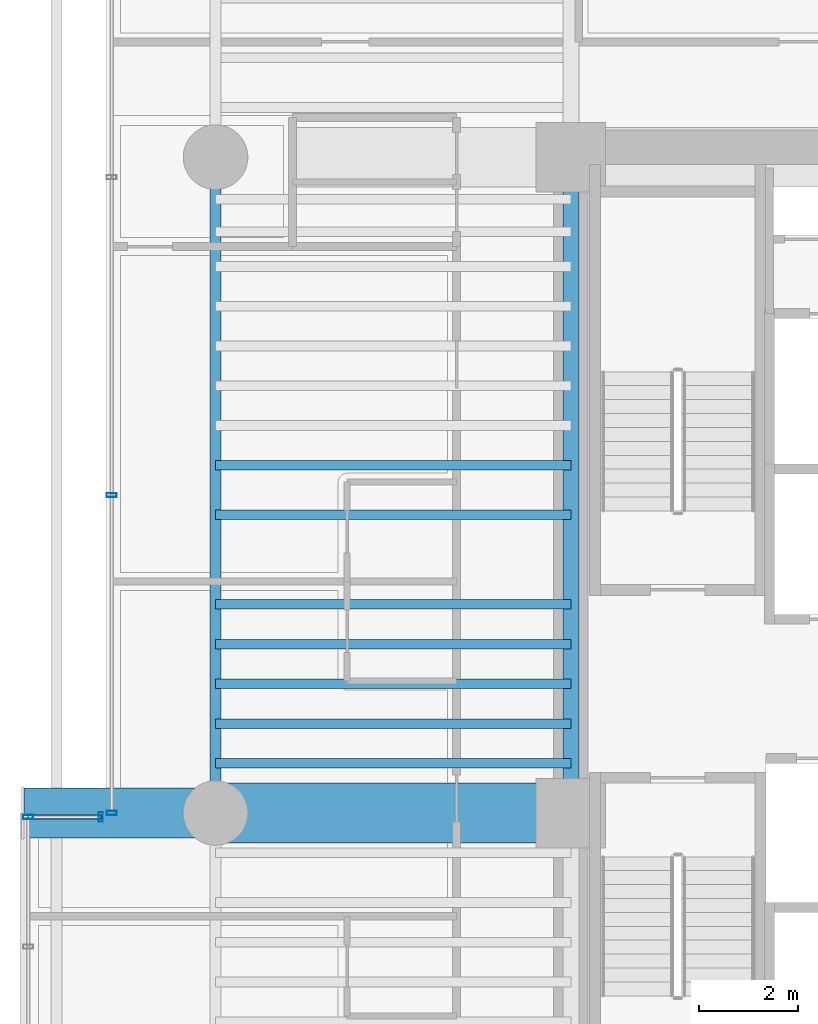
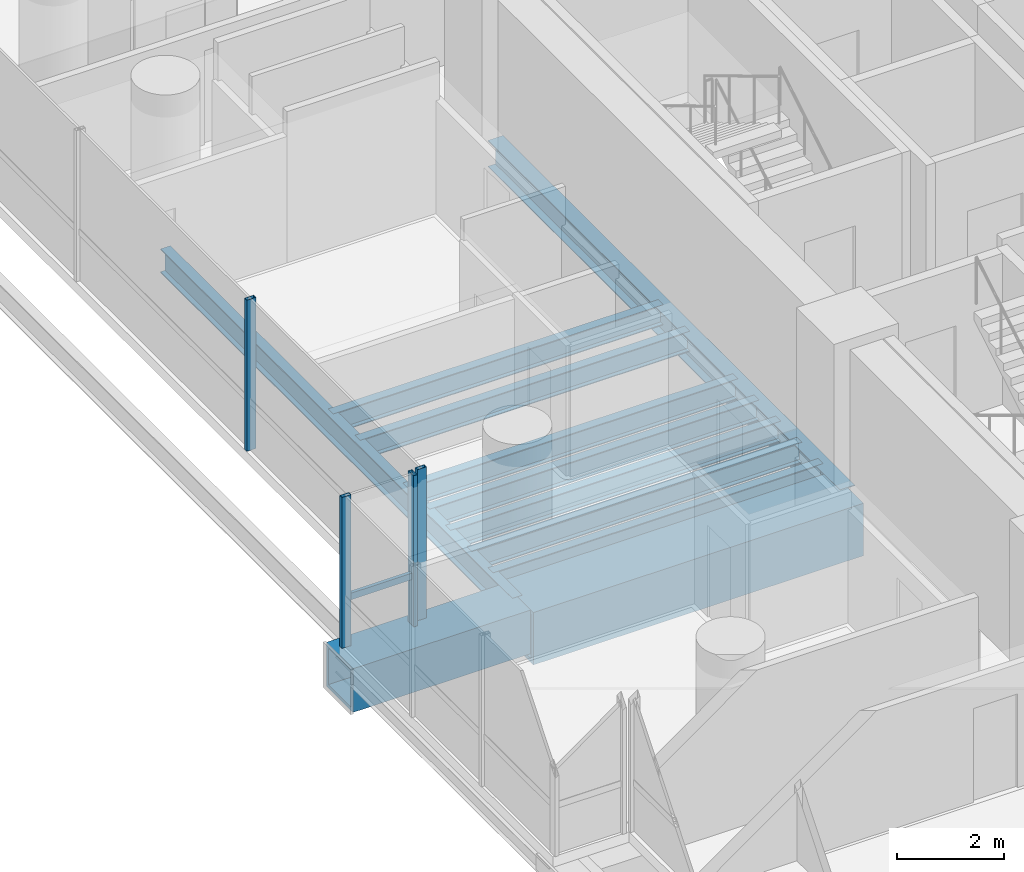
# One storey, part 9 of 50: 11 beams, 5 members, 3 elements without a shape of their own.
"""IFC4 building model written with IfcOpenShell, lengths in metres."""

from ifc_helpers import new_model, si_unit, direction, frame, origin, origin_2d, place, context, subcontext, project, spatial, hollow_rectangle, i_section, extrude, source, transform, mapped, material, material_profile, profile_set, type_object, element, aggregate, save


model = new_model("IFC4")

# Units and contexts
model_context = context("Model", 3, precision=1e-05, world=origin(), true_north=direction((0.0, 1.0)))
body_context = subcontext(model_context, "Body", "Model", "MODEL_VIEW")
ifc_project = project(units=[si_unit("LENGTHUNIT", "METRE"), si_unit("AREAUNIT", "SQUARE_METRE"), si_unit("VOLUMEUNIT", "CUBIC_METRE"), si_unit("PLANEANGLEUNIT", "RADIAN"), si_unit("MASSUNIT", "GRAM", prefix="KILO")], contexts=[model_context])

# Site, building, storey
site_placement = place(None, origin())
site = spatial("IfcSite", under=ifc_project, at=site_placement, CompositionType="ELEMENT")
building_placement = place(site_placement, origin())
building = spatial("IfcBuilding", under=site, at=building_placement, Name="Valdorenza Pilgrim Sanctuary Tower", CompositionType="ELEMENT")
storey_placement = place(building_placement, frame((0.0, 0.0, 26.0)))
storey = spatial("IfcBuildingStorey", under=building, at=storey_placement, Name="L05", CompositionType="ELEMENT", Elevation=26.0)

# Beams
ifc_material_1 = material(Name="Steel ASTM A992 Grade 50", Category="steel")
ifc_material_profile_1 = material_profile(ifc_material_1, i_section(OverallWidth=0.214111328125, OverallDepth=0.549072265625, WebThickness=0.0146484375, FlangeThickness=0.023681640625, at=origin_2d()), Name="W21X93")
ifc_profile_set_1 = profile_set([ifc_material_profile_1], Name="Steel ASTM A992 Grade 50")
beam_type_1 = type_object("IfcBeamType", Name="STR-BM-SPN-W21A", PredefinedType="SPANDREL", material=ifc_profile_set_1)
shared_shape_1 = source(origin(), body_context, "Body", "SweptSolid", [
    extrude(i_section(OverallWidth=0.214111328125, OverallDepth=0.549072265625, WebThickness=0.0146484375, FlangeThickness=0.023681640625, at=origin_2d()), origin(), (0.0, 0.0, 1.0), 13.2001953125),
])
beam_1_placement = place(storey_placement, frame((-29.800048828125, -2.60009765625, -0.514404296875), z_axis=(0.0, 1.0, 0.0), x_axis=(-1.0, 0.0, 0.0)))
element("IfcBeam", 1, at=beam_1_placement, inside=storey, type_object=beam_type_1, Name="L05 Spandrel Beam WA-W-M0N1", PredefinedType="SPANDREL", context=body_context, shape_type="MappedRepresentation", body=[
    mapped(shared_shape_1, transform((0.0, 0.0, 0.0), x_axis=(1.0, 0.0, 0.0), y_axis=(0.0, 1.0, 0.0), z_axis=(0.0, 0.0, 1.0), scale=1.0)),
])
ifc_material_profile_2 = material_profile(ifc_material_1, i_section(OverallWidth=0.323974609375, OverallDepth=0.611083984375, WebThickness=0.0126953125, FlangeThickness=0.01904296875, at=origin_2d()), Name="W24X104")
ifc_profile_set_2 = profile_set([ifc_material_profile_2], Name="Steel ASTM A992 Grade 50")
beam_type_2 = type_object("IfcBeamType", Name="STR-BM-GRD-W24B", PredefinedType="BEAM", material=ifc_profile_set_2)
shared_shape_2 = source(origin(), body_context, "Body", "SweptSolid", [
    extrude(i_section(OverallWidth=0.323974609375, OverallDepth=0.611083984375, WebThickness=0.0126953125, FlangeThickness=0.01904296875, at=origin_2d()), origin(), (0.0, 0.0, 1.0), 13.2001953125),
])
beam_2_placement = place(storey_placement, frame((-22.64990234375, -2.60009765625, -0.54541015625), z_axis=(0.0, 1.0, 0.0), x_axis=(-1.0, 0.0, 0.0)))
element("IfcBeam", 2, at=beam_2_placement, inside=storey, type_object=beam_type_2, Name="L05 Core Tie Girder CA-W-M0N1", PredefinedType="BEAM", context=body_context, shape_type="MappedRepresentation", body=[
    mapped(shared_shape_2, transform((0.0, 0.0, 0.0), x_axis=(1.0, 0.0, 0.0), y_axis=(0.0, 1.0, 0.0), z_axis=(0.0, 0.0, 1.0), scale=1.0)),
])
ifc_material_profile_3 = material_profile(ifc_material_1, i_section(OverallWidth=0.193115234375, OverallDepth=0.466064453125, WebThickness=0.011474609375, FlangeThickness=0.01904296875, at=origin_2d()), Name="W18X65")
ifc_profile_set_3 = profile_set([ifc_material_profile_3], Name="Steel ASTM A992 Grade 50")
beam_type_3 = type_object("IfcBeamType", Name="STR-BM-JST-W18A", PredefinedType="JOIST", material=ifc_profile_set_3)
shared_shape_3 = source(origin(), body_context, "Body", "SweptSolid", [
    extrude(i_section(OverallWidth=0.193115234375, OverallDepth=0.466064453125, WebThickness=0.011474609375, FlangeThickness=0.01904296875, at=origin_2d()), origin(), (0.0, 0.0, 1.0), 7.150146484375),
])
for number, where, z_axis, x_axis, name in (
    (3, (-29.800048828125, -1.60009765625, -0.472900390625), (1.0, 0.0, 0.0), (0.0, 1.0, 0.0), "L05 Composite Floor Joist JST-WA-10"),
    (4, (-29.800048828125, -0.800048828125, -0.472900390625), (1.0, 0.0, 0.0), (0.0, 1.0, 0.0), "L05 Composite Floor Joist JST-WA-11"),
    (5, (-29.800048828125, 0.0, -0.472900390625), (1.0, 0.0, 0.0), (0.0, 1.0, 0.0), "L05 Composite Floor Joist JST-WA-12"),
    (6, (-29.800048828125, 0.800048828125, -0.472900390625), (1.0, 0.0, 0.0), (0.0, 1.0, 0.0), "L05 Composite Floor Joist JST-WA-13"),
    (7, (-29.800048828125, 1.60009765625, -0.472900390625), (1.0, 0.0, 0.0), (0.0, 1.0, 0.0), "L05 Composite Floor Joist JST-WA-14"),
    (8, (-29.800048828125, 3.39990234375, -0.472900390625), (1.0, 0.0, 0.0), (0.0, 1.0, 0.0), "L05 Composite Floor Joist JST-WA-15"),
    (9, (-29.800048828125, 4.39990234375, -0.472900390625), (1.0, 0.0, 0.0), (0.0, 1.0, 0.0), "L05 Composite Floor Joist JST-WA-16"),
):
    element("IfcBeam", number, at=place(storey_placement, frame(where, z_axis=z_axis, x_axis=x_axis)), inside=storey, type_object=beam_type_3, Name=name, PredefinedType="JOIST", context=body_context, shape_type="MappedRepresentation", body=[
        mapped(shared_shape_3, transform((0.0, 0.0, 0.0), x_axis=(1.0, 0.0, 0.0), y_axis=(0.0, 1.0, 0.0), z_axis=(0.0, 0.0, 1.0), scale=1.0)),
    ])
ifc_material_2 = material(Name="Steel ASTM A572 Grade 42", Category="steel")
ifc_material_profile_4 = material_profile(ifc_material_2, hollow_rectangle(XDim=1.199951171875, YDim=1.199951171875, WallThickness=0.090087890625, at=origin_2d()), Name="BOX 1200x1200x90")
ifc_profile_set_4 = profile_set([ifc_material_profile_4], Name="Steel ASTM A572 Grade 42")
beam_type_4 = type_object("IfcBeamType", Name="STR-BM-TRF-1200", PredefinedType="BEAM", material=ifc_profile_set_4)
shared_shape_4 = source(origin(), body_context, "Body", "SweptSolid", [
    extrude(hollow_rectangle(XDim=1.199951171875, YDim=1.199951171875, WallThickness=0.090087890625, at=origin_2d()), origin(), (0.0, 0.0, 1.0), 7.150146484375),
])
beam_3_placement = place(storey_placement, frame((-29.800048828125, -2.60009765625, -0.840087890625), z_axis=(1.0, 0.0, 0.0), x_axis=(0.0, 1.0, 0.0)))
element("IfcBeam", 10, at=beam_3_placement, inside=storey, type_object=beam_type_4, Name="L05 Transfer Girder WA-XW-M0", PredefinedType="BEAM", context=body_context, shape_type="MappedRepresentation", body=[
    mapped(shared_shape_4, transform((0.0, 0.0, 0.0), x_axis=(1.0, 0.0, 0.0), y_axis=(0.0, 1.0, 0.0), z_axis=(0.0, 0.0, 1.0), scale=1.0)),
])
ifc_material_profile_5 = material_profile(ifc_material_2, hollow_rectangle(XDim=1.0, YDim=1.0, WallThickness=0.080078125, at=origin_2d()), Name="BOX 1000x1000x80")
ifc_profile_set_5 = profile_set([ifc_material_profile_5], Name="Steel ASTM A572 Grade 42")
beam_type_5 = type_object("IfcBeamType", Name="STR-BM-PROW-CANT", PredefinedType="BEAM", material=ifc_profile_set_5)
shared_shape_5 = source(origin(), body_context, "Body", "SweptSolid", [
    extrude(hollow_rectangle(XDim=1.0, YDim=1.0, WallThickness=0.080078125, at=origin_2d()), origin(), (0.0, 0.0, 1.0), 3.849853515625),
])
beam_4_placement = place(storey_placement, frame((-29.800048828125, -2.60009765625, -0.739990234375), z_axis=(-1.0, 0.0, 0.0), x_axis=(0.0, -1.0, 0.0)))
element("IfcBeam", 11, at=beam_4_placement, inside=storey, type_object=beam_type_5, Name="L05 Glass Box Cantilever Beam BOX-WA-L05-CT-N", PredefinedType="BEAM", context=body_context, shape_type="MappedRepresentation", body=[
    mapped(shared_shape_5, transform((0.0, 0.0, 0.0), x_axis=(1.0, 0.0, 0.0), y_axis=(0.0, 1.0, 0.0), z_axis=(0.0, 0.0, 1.0), scale=1.0)),
])

# Curtain wall, members
ifc_material_3 = material(Name="Curtain-wall IGU glazing", Category="glass")
curtain_wall_type = type_object("IfcCurtainWallType", Name="CW-SYS-02", PredefinedType="NOTDEFINED", material=ifc_material_3)
curtain_wall_1_placement = place(storey_placement, origin())
curtain_wall_1 = element("IfcCurtainWall", 12, at=curtain_wall_1_placement, inside=storey, type_object=curtain_wall_type, Name="L05 Curtain Wall CW-L05-1-1S2", PredefinedType="NOTDEFINED")
ifc_material_4 = material(Name="Anodised aluminium AW-6060", Category="aluminium")
ifc_material_profile_6 = material_profile(ifc_material_4, hollow_rectangle(XDim=0.0849609375, YDim=0.199951171875, WallThickness=0.0048828125, at=origin_2d()), Name="ALU-M 200x85x5")
ifc_profile_set_6 = profile_set([ifc_material_profile_6], Name="Anodised aluminium AW-6060")
member_type_1 = type_object("IfcMemberType", Name="CW-MUL-02", PredefinedType="MULLION", material=ifc_profile_set_6)
shared_shape_6 = source(origin(), body_context, "Body", "SweptSolid", [
    extrude(hollow_rectangle(XDim=0.0849609375, YDim=0.199951171875, WallThickness=0.0048828125, at=origin_2d()), origin(), (0.0, 0.0, 1.0), 3.4599609375),
])
member_1_placement = place(storey_placement, frame((-31.889892578125, -2.60009765625, 0.0), z_axis=(0.0, 0.0, 1.0), x_axis=(0.0, 1.0, 0.0)))
member_1 = element("IfcMember", 13, at=member_1_placement, type_object=member_type_1, Name="CW-L05-1-1S2 Mullion 1", PredefinedType="MULLION", context=body_context, shape_type="MappedRepresentation", body=[
    mapped(shared_shape_6, transform((0.0, 0.0, 0.0), x_axis=(1.0, 0.0, 0.0), y_axis=(0.0, 1.0, 0.0), z_axis=(0.0, 0.0, 1.0), scale=1.0)),
])
member_2_placement = place(storey_placement, frame((-31.889892578125, 3.798095703125, 0.0), z_axis=(0.0, 0.0, 1.0), x_axis=(0.0, 1.0, 0.0)))
member_2 = element("IfcMember", 14, at=member_2_placement, type_object=member_type_1, Name="CW-L05-1-1S2 Mullion 2", PredefinedType="MULLION", context=body_context, shape_type="MappedRepresentation", body=[
    mapped(shared_shape_6, transform((0.0, 0.0, 0.0), x_axis=(1.0, 0.0, 0.0), y_axis=(0.0, 1.0, 0.0), z_axis=(0.0, 0.0, 1.0), scale=1.0)),
])
aggregate(curtain_wall_1, [member_1, member_2])

# Curtain wall, member
curtain_wall_2_placement = place(storey_placement, origin())
curtain_wall_2 = element("IfcCurtainWall", 15, at=curtain_wall_2_placement, inside=storey, type_object=curtain_wall_type, Name="L05 Curtain Wall CW-L05-BOX-WA-L05-F", PredefinedType="NOTDEFINED")
member_3_placement = place(storey_placement, frame((-33.570068359375, -2.679931640625, 0.0), z_axis=(0.0, 0.0, 1.0), x_axis=(0.0, 1.0, 0.0)))
member_3 = element("IfcMember", 16, at=member_3_placement, type_object=member_type_1, Name="CW-L05-BOX-WA-L05-F Mullion 4", PredefinedType="MULLION", context=body_context, shape_type="MappedRepresentation", body=[
    mapped(shared_shape_6, transform((0.0, 0.0, 0.0), x_axis=(1.0, 0.0, 0.0), y_axis=(0.0, 1.0, 0.0), z_axis=(0.0, 0.0, 1.0), scale=1.0)),
])
aggregate(curtain_wall_2, [member_3])

# Curtain wall, members
curtain_wall_3_placement = place(storey_placement, origin())
curtain_wall_3 = element("IfcCurtainWall", 17, at=curtain_wall_3_placement, inside=storey, type_object=curtain_wall_type, Name="L05 Curtain Wall CW-L05-BOX-WA-L05-N", PredefinedType="NOTDEFINED")
member_4_placement = place(storey_placement, frame((-32.110107421875, -2.679931640625, 0.0), z_axis=(0.0, 0.0, 1.0), x_axis=(1.0, 0.0, 0.0)))
member_4 = element("IfcMember", 18, at=member_4_placement, type_object=member_type_1, Name="CW-L05-BOX-WA-L05-N Mullion 2", PredefinedType="MULLION", context=body_context, shape_type="MappedRepresentation", body=[
    mapped(shared_shape_6, transform((0.0, 0.0, 0.0), x_axis=(1.0, 0.0, 0.0), y_axis=(0.0, 1.0, 0.0), z_axis=(0.0, 0.0, 1.0), scale=1.0)),
])
ifc_material_profile_7 = material_profile(ifc_material_4, hollow_rectangle(XDim=0.074951171875, YDim=0.14990234375, WallThickness=0.00390625, at=origin_2d()), Name="ALU-T 150x75x4")
ifc_profile_set_7 = profile_set([ifc_material_profile_7], Name="Anodised aluminium AW-6060")
member_type_2 = type_object("IfcMemberType", Name="CW-TRN-02", PredefinedType="USERDEFINED", material=ifc_profile_set_7)
shared_shape_7 = source(origin(), body_context, "Body", "SweptSolid", [
    extrude(hollow_rectangle(XDim=0.074951171875, YDim=0.14990234375, WallThickness=0.00390625, at=origin_2d()), origin(), (0.0, 0.0, 1.0), 1.4599609375),
])
member_5_placement = place(storey_placement, frame((-33.570068359375, -2.679931640625, 1.1201171875), z_axis=(1.0, 0.0, 0.0), x_axis=(0.0, 1.0, 0.0)))
member_5 = element("IfcMember", 19, at=member_5_placement, type_object=member_type_2, Name="CW-L05-BOX-WA-L05-N Transom 1", ObjectType="TRANSOM", PredefinedType="USERDEFINED", context=body_context, shape_type="MappedRepresentation", body=[
    mapped(shared_shape_7, transform((0.0, 0.0, 0.0), x_axis=(1.0, 0.0, 0.0), y_axis=(0.0, 1.0, 0.0), z_axis=(0.0, 0.0, 1.0), scale=1.0)),
])
aggregate(curtain_wall_3, [member_4, member_5])

save(model, "model.ifc")
